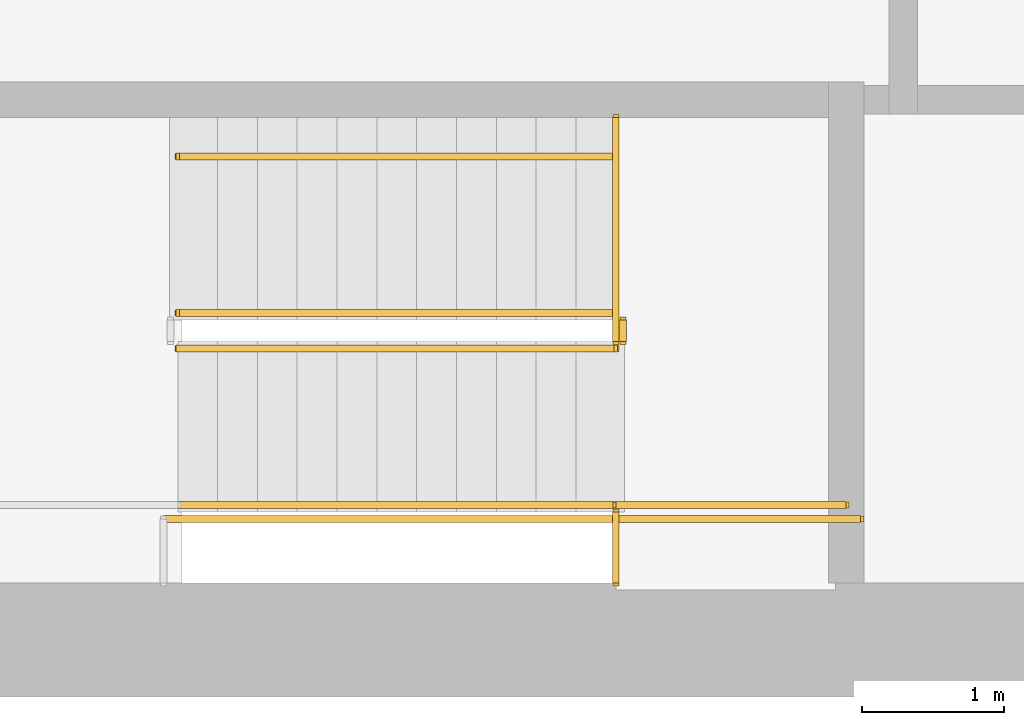
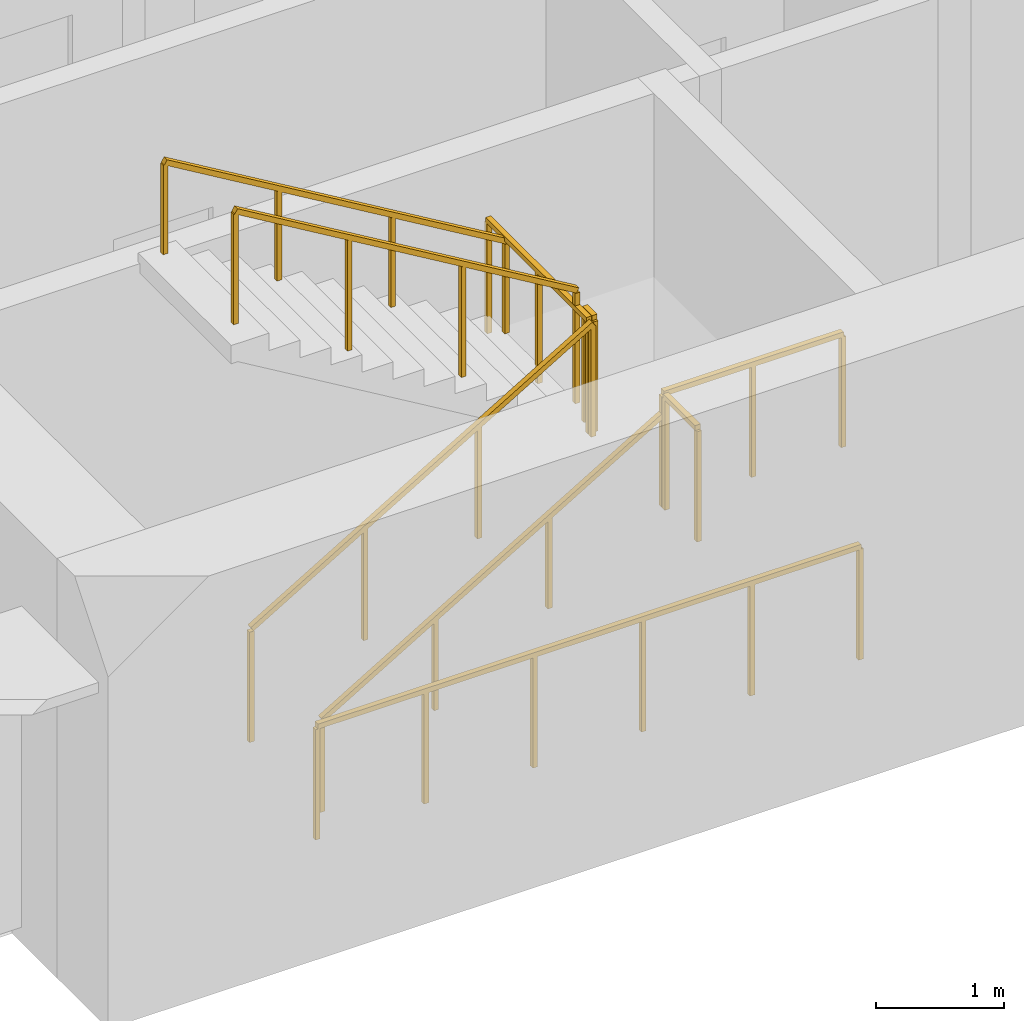
# One storey, part 10 of 12: 9 railings.
"""IFC4 building model written with IfcOpenShell, lengths in metres."""

from ifc_helpers import new_model, si_unit, direction, frame, origin, origin_2d, place, context, subcontext, project, spatial, rectangle, extrude, material, type_object, element, save


model = new_model("IFC4")

# Units and contexts
model_context = context("Model", 3, precision=1e-05, world=origin(), true_north=direction((0.0, 1.0)))
body_context = subcontext(model_context, "Body", "Model", "MODEL_VIEW")
ifc_project = project(units=[si_unit("LENGTHUNIT", "METRE"), si_unit("AREAUNIT", "SQUARE_METRE"), si_unit("VOLUMEUNIT", "CUBIC_METRE"), si_unit("PLANEANGLEUNIT", "RADIAN"), si_unit("MASSUNIT", "GRAM", prefix="KILO")], contexts=[model_context])

# Site, building, storey
site_placement = place(None, origin())
site = spatial("IfcSite", under=ifc_project, at=site_placement, CompositionType="ELEMENT")
building_placement = place(site_placement, origin())
building = spatial("IfcBuilding", under=site, at=building_placement, Name="Sennacour Bend Tower", CompositionType="ELEMENT")
storey_placement = place(building_placement, frame((0.0, 0.0, 293.0)))
storey = spatial("IfcBuildingStorey", under=building, at=storey_placement, Name="L68", CompositionType="ELEMENT", Elevation=293.0)

# Railings
ifc_material = material(Name="Stainless steel", Category="steel")
railing_type_1 = type_object("IfcRailingType", Name="RL-GUARD-1100", PredefinedType="GUARDRAIL", material=ifc_material)
railing_1_placement = place(storey_placement, frame((56.699951171875, 2.449951171875, 0.166748046875)))
element("IfcRailing", 1, at=railing_1_placement, inside=storey, type_object=railing_type_1, Name="L68 SA1 stair guard 1", PredefinedType="GUARDRAIL", context=body_context, shape_type="SweptSolid", body=[
    extrude(rectangle(XDim=0.048095703125, YDim=0.048095703125, at=origin_2d()), frame((0.0, 0.0, 1.076171875), z_axis=(0.859308565015, 0.0, 0.511457515432), x_axis=(0.0, 1.0, 0.0)), (0.0, 0.0, 1.0), 3.58447265625),
    extrude(rectangle(XDim=0.0419921875, YDim=0.0419921875, at=origin_2d()), origin(), (0.0, 0.0, 1.0), 1.052001953125),
    extrude(rectangle(XDim=0.0419921875, YDim=0.0419921875, at=origin_2d()), frame((1.026611328125, 0.0, 0.611083984375)), (0.0, 0.0, 1.0), 1.052001953125),
    extrude(rectangle(XDim=0.0419921875, YDim=0.0419921875, at=origin_2d()), frame((2.053466796875, 0.0, 1.22216796875)), (0.0, 0.0, 1.0), 1.052001953125),
    extrude(rectangle(XDim=0.0419921875, YDim=0.0419921875, at=origin_2d()), frame((3.080078125, 0.0, 1.833251953125)), (0.0, 0.0, 1.0), 1.052001953125),
])
railing_2_placement = place(storey_placement, frame((59.830078125, 2.5, 2.0)))
element("IfcRailing", 2, at=railing_2_placement, inside=storey, type_object=railing_type_1, Name="L68 SA1 stair guard 2", PredefinedType="GUARDRAIL", context=body_context, shape_type="SweptSolid", body=[
    extrude(rectangle(XDim=0.048095703125, YDim=0.048095703125, at=origin_2d()), frame((0.0, 0.0, 1.076171875), z_axis=(0.0, 1.0, 0.0), x_axis=(-1.0, 0.0, 0.0)), (0.0, 0.0, 1.0), 0.14990234375),
    extrude(rectangle(XDim=0.0419921875, YDim=0.0419921875, at=origin_2d()), origin(), (0.0, 0.0, 1.0), 1.052001953125),
    extrude(rectangle(XDim=0.0419921875, YDim=0.0419921875, at=origin_2d()), frame((0.0, 0.14990234375, 0.0)), (0.0, 0.0, 1.0), 1.052001953125),
])
railing_3_placement = place(storey_placement, frame((59.780029296875, 1.35009765625, 2.0)))
element("IfcRailing", 3, at=railing_3_placement, inside=storey, type_object=railing_type_1, Name="L68 SA1 stair guard 3", PredefinedType="GUARDRAIL", context=body_context, shape_type="SweptSolid", body=[
    extrude(rectangle(XDim=0.048095703125, YDim=0.048095703125, at=origin_2d()), frame((0.0, 0.0, 1.076171875), z_axis=(1.0, 0.0, 0.0), x_axis=(0.0, 1.0, 0.0)), (0.0, 0.0, 1.0), 1.619873046875),
    extrude(rectangle(XDim=0.0419921875, YDim=0.0419921875, at=origin_2d()), origin(), (0.0, 0.0, 1.0), 1.052001953125),
    extrude(rectangle(XDim=0.0419921875, YDim=0.0419921875, at=origin_2d()), frame((0.81005859375, 0.0, 0.0)), (0.0, 0.0, 1.0), 1.052001953125),
    extrude(rectangle(XDim=0.0419921875, YDim=0.0419921875, at=origin_2d()), frame((1.619873046875, 0.0, 0.0)), (0.0, 0.0, 1.0), 1.052001953125),
])
railing_4_placement = place(storey_placement, frame((59.780029296875, 2.699951171875, 2.166748046875)))
element("IfcRailing", 4, at=railing_4_placement, inside=storey, type_object=railing_type_1, Name="L68 SA1 stair guard 4", PredefinedType="GUARDRAIL", context=body_context, shape_type="SweptSolid", body=[
    extrude(rectangle(XDim=0.048095703125, YDim=0.048095703125, at=origin_2d()), frame((0.0, 0.0, 1.076171875), z_axis=(-0.859308565015, 0.0, 0.511457515432), x_axis=(0.0, -1.0, 0.0)), (0.0, 0.0, 1.0), 3.58447265625),
    extrude(rectangle(XDim=0.0419921875, YDim=0.0419921875, at=origin_2d()), origin(), (0.0, 0.0, 1.0), 1.052001953125),
    extrude(rectangle(XDim=0.0419921875, YDim=0.0419921875, at=origin_2d()), frame((-1.026611328125, 0.0, 0.611083984375)), (0.0, 0.0, 1.0), 1.052001953125),
    extrude(rectangle(XDim=0.0419921875, YDim=0.0419921875, at=origin_2d()), frame((-2.053466796875, 0.0, 1.22216796875)), (0.0, 0.0, 1.0), 1.052001953125),
    extrude(rectangle(XDim=0.0419921875, YDim=0.0419921875, at=origin_2d()), frame((-3.080078125, 0.0, 1.833251953125)), (0.0, 0.0, 1.0), 1.052001953125),
])
railing_5_placement = place(storey_placement, frame((56.60009765625, 1.25, 0.0)))
element("IfcRailing", 5, at=railing_5_placement, inside=storey, type_object=railing_type_1, Name="L68 SA1 stair guard 8", PredefinedType="GUARDRAIL", context=body_context, shape_type="SweptSolid", body=[
    extrude(rectangle(XDim=0.048095703125, YDim=0.048095703125, at=origin_2d()), frame((0.0, 0.0, 1.076171875), z_axis=(1.0, 0.0, 0.0), x_axis=(0.0, 1.0, 0.0)), (0.0, 0.0, 1.0), 4.89990234375),
    extrude(rectangle(XDim=0.0419921875, YDim=0.0419921875, at=origin_2d()), origin(), (0.0, 0.0, 1.0), 1.052001953125),
    extrude(rectangle(XDim=0.0419921875, YDim=0.0419921875, at=origin_2d()), frame((0.97998046875, 0.0, 0.0)), (0.0, 0.0, 1.0), 1.052001953125),
    extrude(rectangle(XDim=0.0419921875, YDim=0.0419921875, at=origin_2d()), frame((1.9599609375, 0.0, 0.0)), (0.0, 0.0, 1.0), 1.052001953125),
    extrude(rectangle(XDim=0.0419921875, YDim=0.0419921875, at=origin_2d()), frame((2.93994140625, 0.0, 0.0)), (0.0, 0.0, 1.0), 1.052001953125),
    extrude(rectangle(XDim=0.0419921875, YDim=0.0419921875, at=origin_2d()), frame((3.919921875, 0.0, 0.0)), (0.0, 0.0, 1.0), 1.052001953125),
    extrude(rectangle(XDim=0.0419921875, YDim=0.0419921875, at=origin_2d()), frame((4.89990234375, 0.0, 0.0)), (0.0, 0.0, 1.0), 1.052001953125),
])
railing_6_placement = place(storey_placement, frame((59.780029296875, 0.800048828125, 2.0)))
element("IfcRailing", 6, at=railing_6_placement, inside=storey, type_object=railing_type_1, Name="L68 SA1 landing edge guard 106", PredefinedType="GUARDRAIL", context=body_context, shape_type="SweptSolid", body=[
    extrude(rectangle(XDim=0.048095703125, YDim=0.048095703125, at=origin_2d()), frame((0.0, 0.0, 1.076171875), z_axis=(0.0, 1.0, 0.0), x_axis=(-1.0, 0.0, 0.0)), (0.0, 0.0, 1.0), 0.5),
    extrude(rectangle(XDim=0.0419921875, YDim=0.0419921875, at=origin_2d()), origin(), (0.0, 0.0, 1.0), 1.052001953125),
    extrude(rectangle(XDim=0.0419921875, YDim=0.0419921875, at=origin_2d()), frame((0.0, 0.5, 0.0)), (0.0, 0.0, 1.0), 1.052001953125),
])
railing_7_placement = place(storey_placement, frame((59.780029296875, 2.5, 2.0)))
element("IfcRailing", 7, at=railing_7_placement, inside=storey, type_object=railing_type_1, Name="L68 SA1 landing edge guard 107", PredefinedType="GUARDRAIL", context=body_context, shape_type="SweptSolid", body=[
    extrude(rectangle(XDim=0.048095703125, YDim=0.048095703125, at=origin_2d()), frame((0.0, 0.0, 1.076171875), z_axis=(0.0, 1.0, 0.0), x_axis=(-1.0, 0.0, 0.0)), (0.0, 0.0, 1.0), 1.574951171875),
    extrude(rectangle(XDim=0.0419921875, YDim=0.0419921875, at=origin_2d()), origin(), (0.0, 0.0, 1.0), 1.052001953125),
    extrude(rectangle(XDim=0.0419921875, YDim=0.0419921875, at=origin_2d()), frame((0.0, 0.78759765625, 0.0)), (0.0, 0.0, 1.0), 1.052001953125),
    extrude(rectangle(XDim=0.0419921875, YDim=0.0419921875, at=origin_2d()), frame((0.0, 1.574951171875, 0.0)), (0.0, 0.0, 1.0), 1.052001953125),
])
railing_type_2 = type_object("IfcRailingType", Name="RL-HANDRAIL-900", PredefinedType="HANDRAIL", material=ifc_material)
railing_8_placement = place(storey_placement, frame((56.699951171875, 1.35009765625, 0.166748046875)))
element("IfcRailing", 8, at=railing_8_placement, inside=storey, type_object=railing_type_2, Name="L68 SA1 stair handrail 1", PredefinedType="HANDRAIL", context=body_context, shape_type="SweptSolid", body=[
    extrude(rectangle(XDim=0.048095703125, YDim=0.048095703125, at=origin_2d()), frame((0.0, 0.0, 0.8759765625), z_axis=(0.859308565015, 0.0, 0.511457515432), x_axis=(0.0, 1.0, 0.0)), (0.0, 0.0, 1.0), 3.58447265625),
    extrude(rectangle(XDim=0.0419921875, YDim=0.0419921875, at=origin_2d()), origin(), (0.0, 0.0, 1.0), 0.851806640625),
    extrude(rectangle(XDim=0.0419921875, YDim=0.0419921875, at=origin_2d()), frame((1.026611328125, 0.0, 0.611083984375)), (0.0, 0.0, 1.0), 0.851806640625),
    extrude(rectangle(XDim=0.0419921875, YDim=0.0419921875, at=origin_2d()), frame((2.053466796875, 0.0, 1.22216796875)), (0.0, 0.0, 1.0), 0.851806640625),
    extrude(rectangle(XDim=0.0419921875, YDim=0.0419921875, at=origin_2d()), frame((3.080078125, 0.0, 1.833251953125)), (0.0, 0.0, 1.0), 0.851806640625),
])
railing_9_placement = place(storey_placement, frame((59.780029296875, 3.800048828125, 2.166748046875)))
element("IfcRailing", 9, at=railing_9_placement, inside=storey, type_object=railing_type_2, Name="L68 SA1 stair handrail 2", PredefinedType="HANDRAIL", context=body_context, shape_type="SweptSolid", body=[
    extrude(rectangle(XDim=0.048095703125, YDim=0.048095703125, at=origin_2d()), frame((0.0, 0.0, 0.8759765625), z_axis=(-0.859308565015, 0.0, 0.511457515432), x_axis=(0.0, -1.0, 0.0)), (0.0, 0.0, 1.0), 3.58447265625),
    extrude(rectangle(XDim=0.0419921875, YDim=0.0419921875, at=origin_2d()), origin(), (0.0, 0.0, 1.0), 0.851806640625),
    extrude(rectangle(XDim=0.0419921875, YDim=0.0419921875, at=origin_2d()), frame((-1.026611328125, 0.0, 0.611083984375)), (0.0, 0.0, 1.0), 0.851806640625),
    extrude(rectangle(XDim=0.0419921875, YDim=0.0419921875, at=origin_2d()), frame((-2.053466796875, 0.0, 1.22216796875)), (0.0, 0.0, 1.0), 0.851806640625),
    extrude(rectangle(XDim=0.0419921875, YDim=0.0419921875, at=origin_2d()), frame((-3.080078125, 0.0, 1.833251953125)), (0.0, 0.0, 1.0), 0.851806640625),
])

save(model, "model.ifc")
